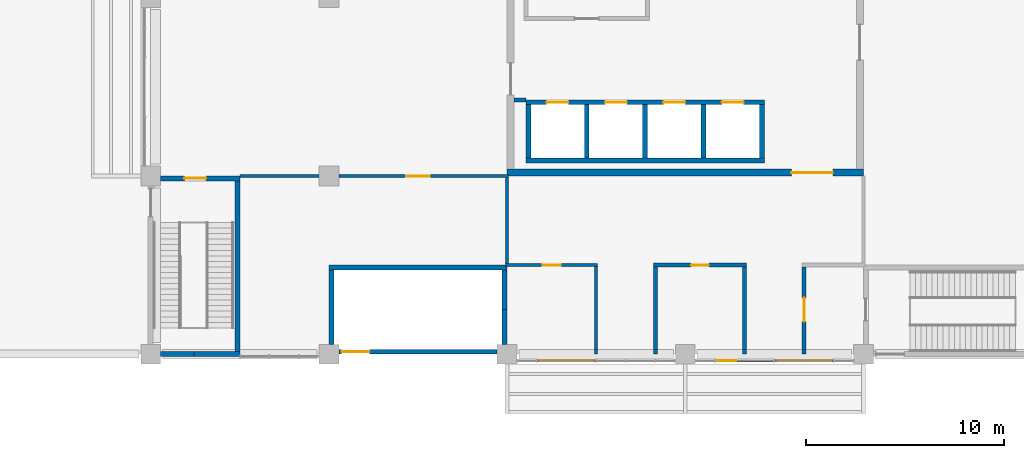
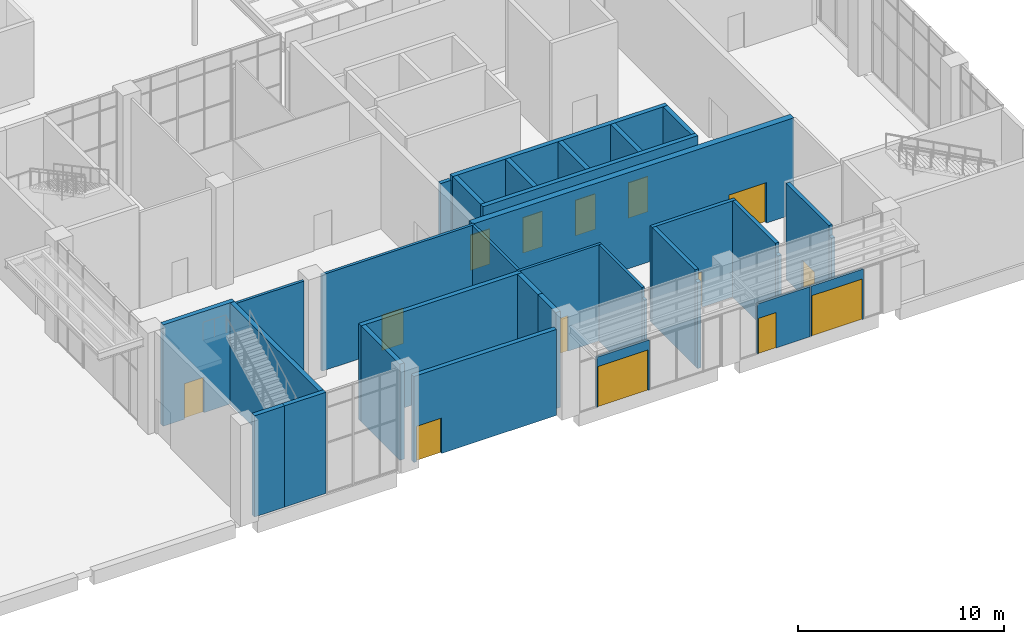
# One storey, part 59 of 86: 34 walls, 14 doors, 14 openings.
"""IFC4 building model written with IfcOpenShell, lengths in metres."""

import ifcopenshell
import ifcopenshell.guid

model = None  # the IFC model being written
_history = None  # IfcOwnerHistory: only IFC2X3 demands one
_inside = {}  # id of a spatial element -> (the spatial element, [elements in it])
_under = {}  # id of a project, library or spatial element -> (it, [spatial elements below it])
_declared = {}  # id of a project -> (the project, [libraries it declares])
_typed = {}  # id of a type object -> (the type object, [elements of that type])
_made_of = {}  # id of a material, layer set ... -> (it, [elements and type objects made of it])


def new_model(schema):
    """Start an empty IFC model of exactly this schema.

    Asked for "IFC4X3", IfcOpenShell would pick the latest addendum, in which some entities
    have other attributes; the version numbers below select the first issue.
    IFC2X3 requires an IfcOwnerHistory on every rooted entity: one is made here for all.
    """
    global model, _history
    if schema == "IFC4X3":
        model = ifcopenshell.file(schema_version=(4, 3, 0, 0))
    else:
        model = ifcopenshell.file(schema=schema)
    _inside.clear()
    _under.clear()
    _declared.clear()
    _typed.clear()
    _made_of.clear()
    _history = None
    if model.schema == "IFC2X3":
        org = make("IfcOrganization", Name="unknown")
        user = make(
            "IfcPersonAndOrganization",
            ThePerson=make("IfcPerson", FamilyName="unknown"),
            TheOrganization=org,
        )
        app = make(
            "IfcApplication",
            ApplicationDeveloper=org,
            Version="unknown",
            ApplicationFullName="unknown",
            ApplicationIdentifier="unknown",
        )
        _history = make(
            "IfcOwnerHistory",
            OwningUser=user,
            OwningApplication=app,
            ChangeAction="ADDED",
            CreationDate=0,
        )
    return model


def make(cls, **values):
    """One entity of the class cls with the attributes given. An attribute that is None is left unset."""
    return model.create_entity(
        cls, **{name: value for name, value in values.items() if value is not None}
    )


def rooted(cls, **values):
    """An entity with a GlobalId (a new one), such as an element, a storey or a relation."""
    return make(cls, GlobalId=ifcopenshell.guid.new(), OwnerHistory=_history, **values)


def si_unit(unit_type, name, prefix=None):
    """IfcSIUnit, for example si_unit("LENGTHUNIT", "METRE", prefix="MILLI")."""
    return make("IfcSIUnit", UnitType=unit_type, Prefix=prefix, Name=name)


def assignment(units):
    """IfcUnitAssignment: the units of a project."""
    return None if units is None else make("IfcUnitAssignment", Units=units)


def point(xyz):
    """IfcCartesianPoint."""
    return None if xyz is None else make("IfcCartesianPoint", Coordinates=xyz)


def direction(xyz):
    """IfcDirection."""
    return None if xyz is None else make("IfcDirection", DirectionRatios=xyz)


def frame(location, z_axis=None, x_axis=None):
    """IfcAxis2Placement3D, a coordinate frame: its origin and axes. An axis left out is left unset."""
    return make(
        "IfcAxis2Placement3D",
        Location=point(location),
        Axis=direction(z_axis),
        RefDirection=direction(x_axis),
    )


def frame_2d(location, x_axis=None):
    """IfcAxis2Placement2D, a coordinate frame in the plane: its origin and x axis."""
    return make(
        "IfcAxis2Placement2D", Location=point(location), RefDirection=direction(x_axis)
    )


def origin():
    """The frame at (0, 0, 0) with its axes left unset."""
    return frame((0.0, 0.0, 0.0))


def place(relative_to, where):
    """IfcLocalPlacement: puts the frame where relative to a parent placement (None: the world)."""
    return make(
        "IfcLocalPlacement", PlacementRelTo=relative_to, RelativePlacement=where
    )


def context(
    kind, dimensions, precision=None, world=None, true_north=None, identifier=None
):
    """IfcGeometricRepresentationContext, for example the 3D "Model" context."""
    return make(
        "IfcGeometricRepresentationContext",
        ContextIdentifier=identifier,
        ContextType=kind,
        CoordinateSpaceDimension=dimensions,
        Precision=precision,
        WorldCoordinateSystem=world,
        TrueNorth=true_north,
    )


def subcontext(parent, identifier, kind, view, scale=None):
    """IfcGeometricRepresentationSubContext, for example "Body" below "Model"."""
    return make(
        "IfcGeometricRepresentationSubContext",
        ContextIdentifier=identifier,
        ContextType=kind,
        ParentContext=parent,
        TargetScale=scale,
        TargetView=view,
    )


def project(units=None, contexts=None):
    """IfcProject with its units and contexts."""
    return rooted(
        "IfcProject",
        Name="project",
        RepresentationContexts=contexts,
        UnitsInContext=assignment(units),
    )


def spatial(cls, under=None, at=None, **own):
    """A site, building, storey or space (cls), placed at a placement, below another one or the project."""
    s = rooted(cls, ObjectPlacement=at, **own)
    if under is not None:
        _under.setdefault(under.id(), (under, []))[1].append(s)
    return s


def profile(cls, at=None, kind="AREA", **sizes):
    """A parametric profile (cls). Its sizes go by their IFC names, for example OverallWidth=200.0."""
    return make(cls, ProfileType=kind, Position=at, **sizes)


def rectangle(**sizes):
    """IfcRectangleProfileDef."""
    return profile("IfcRectangleProfileDef", **sizes)


def extrude(swept, where, along, depth):
    """IfcExtrudedAreaSolid: the profile swept, set in the frame where, extruded along a direction by depth."""
    return make(
        "IfcExtrudedAreaSolid",
        SweptArea=swept,
        Position=where,
        ExtrudedDirection=direction(along),
        Depth=depth,
    )


def shape(context_of_items, identifier, shape_type, items):
    """IfcShapeRepresentation: the items that make up one representation, for example the "Body"."""
    return make(
        "IfcShapeRepresentation",
        ContextOfItems=context_of_items,
        RepresentationIdentifier=identifier,
        RepresentationType=shape_type,
        Items=items,
    )


def material(Name=None, Category=None):
    """IfcMaterial."""
    return make("IfcMaterial", Name=Name, Category=Category)


def layer(
    of_material, thickness, ventilated=None, Name=None, Category=None, Priority=None
):
    """IfcMaterialLayer: one layer of a wall or slab, of a material (None: an air gap)."""
    return make(
        "IfcMaterialLayer",
        Material=of_material,
        LayerThickness=thickness,
        IsVentilated=ventilated,
        Name=Name,
        Category=Category,
        Priority=Priority,
    )


def layer_set(layers, Name=None):
    """IfcMaterialLayerSet."""
    return make("IfcMaterialLayerSet", MaterialLayers=layers, LayerSetName=Name)


def made_of(thing, what):
    """Note that an element or type object is made of a material, layer set ...; save() writes the relation."""
    if what is not None:
        _made_of.setdefault(what.id(), (what, []))[1].append(thing)
    return thing


def type_object(cls, material=None, **own):
    """A type object (cls), such as IfcWallType, which elements share."""
    return made_of(rooted(cls, **own), material)


def element(
    cls,
    number,
    at=None,
    inside=None,
    cuts=None,
    type_object=None,
    material=None,
    context=None,
    identifier="Body",
    shape_type=None,
    held_by="IfcProductDefinitionShape",
    body=None,
    shapes=None,
    **own,
):
    """One element of the class cls, such as IfcWall. Its Tag is "e" and its number.

    at: its placement. inside: the storey or other place that contains it. cuts: it is an
    opening in that element (IfcRelVoidsElement). A single representation is given by context,
    identifier, shape_type and body (its items); several are given by shapes. held_by: the class
    of the entity that holds the representations. save() writes the other relations.
    """
    e = rooted(cls, Tag="e%d" % number, ObjectPlacement=at, **own)
    if body is not None:
        shapes = [shape(context, identifier, shape_type, body)]
    if shapes is not None:
        e.Representation = make(held_by, Representations=shapes)
    if inside is not None:
        _inside.setdefault(inside.id(), (inside, []))[1].append(e)
    if cuts is not None:
        rooted(
            "IfcRelVoidsElement", RelatingBuildingElement=cuts, RelatedOpeningElement=e
        )
    if type_object is not None:
        _typed.setdefault(type_object.id(), (type_object, []))[1].append(e)
    return made_of(e, material)


def fill(opening, filler):
    """IfcRelFillsElement: the door or window that sits in an opening."""
    return rooted(
        "IfcRelFillsElement",
        RelatingOpeningElement=opening,
        RelatedBuildingElement=filler,
    )


def aggregate(whole, parts):
    """IfcRelAggregates: a whole, such as a stair, and the parts it consists of."""
    return rooted("IfcRelAggregates", RelatingObject=whole, RelatedObjects=parts)


def save(model, path):
    """Write the relations noted so far, then the file.

    IfcRelAggregates (storeys below a building ...), IfcRelContainedInSpatialStructure (elements
    in a storey), IfcRelDefinesByType, IfcRelAssociatesMaterial and IfcRelDeclares: one each for
    every whole, place, type object, material and project.
    """
    for whole, parts in _under.values():
        aggregate(whole, parts)
    for where, things in _inside.values():
        rooted(
            "IfcRelContainedInSpatialStructure",
            RelatedElements=things,
            RelatingStructure=where,
        )
    for kind, things in _typed.values():
        rooted("IfcRelDefinesByType", RelatedObjects=things, RelatingType=kind)
    for what, things in _made_of.values():
        rooted("IfcRelAssociatesMaterial", RelatedObjects=things, RelatingMaterial=what)
    for by, libraries in _declared.values():
        rooted("IfcRelDeclares", RelatingContext=by, RelatedDefinitions=libraries)
    model.write(path)


model = new_model("IFC4")

# Units and contexts
model_context = context("Model", 3, precision=1e-05, world=origin(), true_north=direction((0.0, 1.0)))
body_context = subcontext(model_context, "Body", "Model", "MODEL_VIEW")
ifc_project = project(units=[si_unit("LENGTHUNIT", "METRE"), si_unit("AREAUNIT", "SQUARE_METRE"), si_unit("VOLUMEUNIT", "CUBIC_METRE"), si_unit("PLANEANGLEUNIT", "RADIAN"), si_unit("MASSUNIT", "GRAM", prefix="KILO")], contexts=[model_context])

# Site, building, storey
site_placement = place(None, origin())
site = spatial("IfcSite", under=ifc_project, at=site_placement, CompositionType="ELEMENT")
building_placement = place(site_placement, origin())
building = spatial("IfcBuilding", under=site, at=building_placement, Name="Guidao Yard Department Store", CompositionType="ELEMENT")
storey_placement = place(building_placement, origin())
storey = spatial("IfcBuildingStorey", under=building, at=storey_placement, Name="L00", CompositionType="ELEMENT", Elevation=0.0)

# Wall, opening, door
ifc_material_1 = material(Name="Gypsum Board")
ifc_layer_1 = layer(ifc_material_1, 0.14990234375)
ifc_layer_set_1 = layer_set([ifc_layer_1], Name="Corridor Partition 150 Gypsum Board EI 60")
wall_type_1 = type_object("IfcWallType", Name="Corridor Partition 150 Gypsum Board EI 60", PredefinedType="PARTITIONING", material=ifc_layer_set_1)
wall_1_placement = place(storey_placement, frame((143.925048828125, 4.5, 0.0), z_axis=(0.0, 0.0, 1.0), x_axis=(1.0, 0.0, 0.0)))
wall_1 = element("IfcWall", 1, at=wall_1_placement, inside=storey, type_object=wall_type_1, Name="pt.wall.L00.0001", PredefinedType="PARTITIONING", context=body_context, shape_type="SweptSolid", body=[
    extrude(rectangle(XDim=4.64990234375, YDim=0.14990234375, at=frame_2d((2.324951171875, 0.0))), origin(), (0.0, 0.0, 1.0), 5.699951171875),
])
opening_1_placement = place(wall_1_placement, frame((2.77490234375, 0.0, 0.0), z_axis=(0.0, 0.0, 1.0), x_axis=(-1.0, 0.0, 0.0)))
opening_1 = element("IfcOpeningElement", 2, at=opening_1_placement, cuts=wall_1, Name="Opening L00-411", PredefinedType="OPENING", context=body_context, shape_type="SweptSolid", body=[
    extrude(rectangle(XDim=0.89990234375, YDim=2.10009765625, at=frame_2d((0.449951171875, 1.050048828125))), frame((0.0, 0.0849609375, 0.0), z_axis=(0.0, -1.0, 0.0), x_axis=(1.0, 0.0, 0.0)), (0.0, 0.0, 1.0), 0.169921875),
])
ifc_material_2 = material(Name="Timber door leaf with Steel Q235 frame", Category="steel")
door_type_1 = type_object("IfcDoorType", Name="Door 900 x 2100 FD30 Single Leaf", OperationType="SINGLE_SWING_LEFT", PredefinedType="DOOR", material=ifc_material_2)
door_1_placement = place(opening_1_placement, origin())
door_1 = element("IfcDoor", 3, at=door_1_placement, inside=storey, type_object=door_type_1, Name="Door L00-411", OperationType="SINGLE_SWING_RIGHT", OverallHeight=2.10009765625, OverallWidth=0.89990234375, PredefinedType="DOOR", context=body_context, shape_type="SweptSolid", body=[
    extrude(rectangle(XDim=0.89990234375, YDim=2.10009765625, at=frame_2d((0.449951171875, 1.050048828125))), frame((0.0, 0.02490234375, 0.0), z_axis=(0.0, -1.0, 0.0), x_axis=(1.0, 0.0, 0.0)), (0.0, 0.0, 1.0), 0.050048828125),
])
fill(opening_1, door_1)

# Wall
wall_2_placement = place(storey_placement, frame((130.5, 9.0, 0.0), z_axis=(0.0, 0.0, 1.0), x_axis=(1.0, 0.0, 0.0)))
element("IfcWall", 4, at=wall_2_placement, inside=storey, type_object=wall_type_1, Name="pt.wall.L00.0004", PredefinedType="PARTITIONING", context=body_context, shape_type="SweptSolid", body=[
    extrude(rectangle(XDim=4.0, YDim=0.14990234375, at=frame_2d((2.0, 0.0))), origin(), (0.0, 0.0, 1.0), 5.699951171875),
])

# Wall, opening, door
wall_3_placement = place(storey_placement, frame((135.5, 9.0, 0.0), z_axis=(0.0, 0.0, 1.0), x_axis=(1.0, 0.0, 0.0)))
wall_3 = element("IfcWall", 5, at=wall_3_placement, inside=storey, type_object=wall_type_1, Name="pt.wall.L00.0005", PredefinedType="PARTITIONING", context=body_context, shape_type="SweptSolid", body=[
    extrude(rectangle(XDim=8.574951171875, YDim=0.14990234375, at=frame_2d((4.28759765625, 0.0))), origin(), (0.0, 0.0, 1.0), 5.699951171875),
])
opening_2_placement = place(wall_3_placement, frame((4.599853515625, 0.0, 0.0), z_axis=(0.0, 0.0, 1.0), x_axis=(-1.0, 0.0, 0.0)))
opening_2 = element("IfcOpeningElement", 6, at=opening_2_placement, cuts=wall_3, Name="Opening L00-405", PredefinedType="OPENING", context=body_context, shape_type="SweptSolid", body=[
    extrude(rectangle(XDim=1.199951171875, YDim=2.10009765625, at=frame_2d((0.60009765625, 1.050048828125))), frame((0.0, 0.0849609375, 0.0), z_axis=(0.0, -1.0, 0.0), x_axis=(1.0, 0.0, 0.0)), (0.0, 0.0, 1.0), 0.169921875),
])
ifc_material_3 = material(Name="Timber door leaf with Steel Q235 frame", Category="steel")
door_type_2 = type_object("IfcDoorType", Name="Door 1200 x 2100 FD30 Single Leaf", OperationType="SINGLE_SWING_LEFT", PredefinedType="DOOR", material=ifc_material_3)
door_2_placement = place(opening_2_placement, origin())
door_2 = element("IfcDoor", 7, at=door_2_placement, inside=storey, type_object=door_type_2, Name="Door L00-405", OperationType="SINGLE_SWING_RIGHT", OverallHeight=2.10009765625, OverallWidth=1.199951171875, PredefinedType="DOOR", context=body_context, shape_type="SweptSolid", body=[
    extrude(rectangle(XDim=1.199951171875, YDim=2.10009765625, at=frame_2d((0.60009765625, 1.050048828125))), frame((0.0, 0.02490234375, 0.0), z_axis=(0.0, -1.0, 0.0), x_axis=(1.0, 0.0, 0.0)), (0.0, 0.0, 1.0), 0.050048828125),
])
fill(opening_2, door_2)

# Walls
wall_4_placement = place(storey_placement, frame((144.0, 4.574951171875, 0.0), z_axis=(0.0, 0.0, 1.0), x_axis=(0.0, 1.0, 0.0)))
element("IfcWall", 8, at=wall_4_placement, inside=storey, type_object=wall_type_1, Name="pt.wall.L00.0018", PredefinedType="PARTITIONING", context=body_context, shape_type="SweptSolid", body=[
    extrude(rectangle(XDim=4.35009765625, YDim=0.14990234375, at=frame_2d((2.175048828125, 0.0))), origin(), (0.0, 0.0, 1.0), 5.699951171875),
])
wall_5_placement = place(storey_placement, frame((148.5, 0.0, 0.0), z_axis=(0.0, 0.0, 1.0), x_axis=(0.0, 1.0, 0.0)))
element("IfcWall", 9, at=wall_5_placement, inside=storey, type_object=wall_type_1, Name="pt.wall.L00.0021", PredefinedType="PARTITIONING", context=body_context, shape_type="SweptSolid", body=[
    extrude(rectangle(XDim=0.25, YDim=0.14990234375, at=frame_2d((0.125, 0.0))), origin(), (0.0, 0.0, 1.0), 5.10009765625),
])
wall_6_placement = place(storey_placement, frame((148.5, 0.25, 0.0), z_axis=(0.0, 0.0, 1.0), x_axis=(0.0, 1.0, 0.0)))
element("IfcWall", 10, at=wall_6_placement, inside=storey, type_object=wall_type_1, Name="pt.wall.L00.0021a", PredefinedType="PARTITIONING", context=body_context, shape_type="SweptSolid", body=[
    extrude(rectangle(XDim=4.175048828125, YDim=0.14990234375, at=frame_2d((2.08740234375, 0.0))), origin(), (0.0, 0.0, 1.0), 5.699951171875),
])

# Wall, opening, door
ifc_material_4 = material(Name="Autoclaved aerated concrete block A3.5 B06", Category="concrete")
ifc_layer_2 = layer(ifc_material_4, 0.199951171875)
ifc_layer_set_2 = layer_set([ifc_layer_2], Name="Fire Wall 200 Autoclaved Block EI 120")
wall_type_2 = type_object("IfcWallType", Name="Fire Wall 200 Autoclaved Block EI 120", PredefinedType="PARTITIONING", material=ifc_layer_set_2)
wall_7_placement = place(storey_placement, frame((151.39990234375, 4.5, 0.0), z_axis=(0.0, 0.0, 1.0), x_axis=(1.0, 0.0, 0.0)))
wall_7 = element("IfcWall", 11, at=wall_7_placement, inside=storey, type_object=wall_type_2, Name="pt.wall.L00.0002", PredefinedType="PARTITIONING", context=body_context, shape_type="SweptSolid", body=[
    extrude(rectangle(XDim=4.7001953125, YDim=0.199951171875, at=frame_2d((2.35009765625, 0.0))), origin(), (0.0, 0.0, 1.0), 5.699951171875),
])
opening_3_placement = place(wall_7_placement, frame((2.7998046875, 0.0, 0.0), z_axis=(0.0, 0.0, 1.0), x_axis=(-1.0, 0.0, 0.0)))
opening_3 = element("IfcOpeningElement", 12, at=opening_3_placement, cuts=wall_7, Name="Opening L00-412", PredefinedType="OPENING", context=body_context, shape_type="SweptSolid", body=[
    extrude(rectangle(XDim=0.89990234375, YDim=2.10009765625, at=frame_2d((0.449951171875, 1.050048828125))), frame((0.0, 0.10986328125, 0.0), z_axis=(0.0, -1.0, 0.0), x_axis=(1.0, 0.0, 0.0)), (0.0, 0.0, 1.0), 0.219970703125),
])
ifc_material_5 = material(Name="Timber door leaf with Steel Q235 frame", Category="steel")
door_type_3 = type_object("IfcDoorType", Name="Door 900 x 2100 FD60 Single Leaf", OperationType="SINGLE_SWING_LEFT", PredefinedType="DOOR", material=ifc_material_5)
door_3_placement = place(opening_3_placement, origin())
door_3 = element("IfcDoor", 13, at=door_3_placement, inside=storey, type_object=door_type_3, Name="Door L00-412", OperationType="SINGLE_SWING_RIGHT", OverallHeight=2.10009765625, OverallWidth=0.89990234375, PredefinedType="DOOR", context=body_context, shape_type="SweptSolid", body=[
    extrude(rectangle(XDim=0.89990234375, YDim=2.10009765625, at=frame_2d((0.449951171875, 1.050048828125))), frame((0.0, 0.02490234375, 0.0), z_axis=(0.0, -1.0, 0.0), x_axis=(1.0, 0.0, 0.0)), (0.0, 0.0, 1.0), 0.050048828125),
])
fill(opening_3, door_3)

# Walls
wall_8_placement = place(storey_placement, frame((151.5, 0.0, 0.0), z_axis=(0.0, 0.0, 1.0), x_axis=(0.0, 1.0, 0.0)))
element("IfcWall", 14, at=wall_8_placement, inside=storey, type_object=wall_type_2, Name="pt.wall.L00.0023", PredefinedType="PARTITIONING", context=body_context, shape_type="SweptSolid", body=[
    extrude(rectangle(XDim=0.25, YDim=0.199951171875, at=frame_2d((0.125, 0.0))), origin(), (0.0, 0.0, 1.0), 5.10009765625),
])
wall_9_placement = place(storey_placement, frame((151.5, 0.25, 0.0), z_axis=(0.0, 0.0, 1.0), x_axis=(0.0, 1.0, 0.0)))
element("IfcWall", 15, at=wall_9_placement, inside=storey, type_object=wall_type_2, Name="pt.wall.L00.0023a", PredefinedType="PARTITIONING", context=body_context, shape_type="SweptSolid", body=[
    extrude(rectangle(XDim=4.14990234375, YDim=0.199951171875, at=frame_2d((2.074951171875, 0.0))), origin(), (0.0, 0.0, 1.0), 5.699951171875),
])
wall_10_placement = place(storey_placement, frame((156.0, 0.0, 0.0), z_axis=(0.0, 0.0, 1.0), x_axis=(0.0, 1.0, 0.0)))
element("IfcWall", 16, at=wall_10_placement, inside=storey, type_object=wall_type_2, Name="pt.wall.L00.0024", PredefinedType="PARTITIONING", context=body_context, shape_type="SweptSolid", body=[
    extrude(rectangle(XDim=0.25, YDim=0.199951171875, at=frame_2d((0.125, 0.0))), origin(), (0.0, 0.0, 1.0), 5.10009765625),
])
wall_11_placement = place(storey_placement, frame((156.0, 0.25, 0.0), z_axis=(0.0, 0.0, 1.0), x_axis=(0.0, 1.0, 0.0)))
element("IfcWall", 17, at=wall_11_placement, inside=storey, type_object=wall_type_2, Name="pt.wall.L00.0024a", PredefinedType="PARTITIONING", context=body_context, shape_type="SweptSolid", body=[
    extrude(rectangle(XDim=4.14990234375, YDim=0.199951171875, at=frame_2d((2.074951171875, 0.0))), origin(), (0.0, 0.0, 1.0), 5.699951171875),
])

# Wall, opening, door
ifc_material_6 = material(Name="Aluminium 6063-T5", Category="aluminium")
ifc_layer_3 = layer(ifc_material_6, 0.1201171875)
ifc_layer_set_3 = layer_set([ifc_layer_3], Name="Glazing frame wall 120")
wall_type_3 = type_object("IfcWallType", Name="Glazing frame wall 120", PredefinedType="STANDARD", material=ifc_layer_set_3)
wall_12_placement = place(storey_placement, frame((148.469970703125, -0.330078125, 0.0), z_axis=(0.0, 0.0, 1.0), x_axis=(-1.0, 0.0, 0.0)))
wall_12 = element("IfcWall", 18, at=wall_12_placement, inside=storey, type_object=wall_type_3, Name="Frame wall for door", PredefinedType="STANDARD", context=body_context, shape_type="SweptSolid", body=[
    extrude(rectangle(XDim=2.93994140625, YDim=0.1201171875, at=frame_2d((1.469970703125, 0.0))), origin(), (0.0, 0.0, 1.0), 2.969970703125),
])
opening_4_placement = place(wall_12_placement, frame((0.070068359375, 0.0, 0.0)))
opening_4 = element("IfcOpeningElement", 19, at=opening_4_placement, cuts=wall_12, Name="Opening L00-874", PredefinedType="OPENING", context=body_context, shape_type="SweptSolid", body=[
    extrude(rectangle(XDim=2.800048828125, YDim=2.39990234375, at=frame_2d((1.39990234375, 1.199951171875))), frame((0.0, 0.070068359375, 0.0), z_axis=(0.0, -1.0, 0.0), x_axis=(1.0, 0.0, 0.0)), (0.0, 0.0, 1.0), 0.14013671875),
])
ifc_material_7 = material(Name="Toughened glass in Aluminium 6063-T5 frame", Category="aluminium")
door_type_4 = type_object("IfcDoorType", Name="Entrance door ED1 2800 x 2400 glazed double leaf", OperationType="DOUBLE_DOOR_SINGLE_SWING", PredefinedType="DOOR", material=ifc_material_7)
door_4_placement = place(opening_4_placement, origin())
door_4 = element("IfcDoor", 20, at=door_4_placement, inside=storey, type_object=door_type_4, Name="Main entrance OE1", OperationType="DOUBLE_DOOR_SINGLE_SWING", OverallHeight=2.39990234375, OverallWidth=2.800048828125, PredefinedType="DOOR", context=body_context, shape_type="SweptSolid", body=[
    extrude(rectangle(XDim=2.800048828125, YDim=2.39990234375, at=frame_2d((1.39990234375, 1.199951171875))), frame((0.0, 0.02490234375, 0.0), z_axis=(0.0, -1.0, 0.0), x_axis=(1.0, 0.0, 0.0)), (0.0, 0.0, 1.0), 0.050048828125),
])
fill(opening_4, door_4)

wall_13_placement = place(storey_placement, frame((157.469970703125, -0.330078125, 0.0), z_axis=(0.0, 0.0, 1.0), x_axis=(-1.0, 0.0, 0.0)))
wall_13 = element("IfcWall", 21, at=wall_13_placement, inside=storey, type_object=wall_type_3, Name="Frame wall for door", PredefinedType="STANDARD", context=body_context, shape_type="SweptSolid", body=[
    extrude(rectangle(XDim=2.93994140625, YDim=0.1201171875, at=frame_2d((1.469970703125, 0.0))), origin(), (0.0, 0.0, 1.0), 2.969970703125),
])
opening_5_placement = place(wall_13_placement, frame((1.889892578125, 0.0, 0.0)))
opening_5 = element("IfcOpeningElement", 22, at=opening_5_placement, cuts=wall_13, Name="Opening L00-875", PredefinedType="OPENING", context=body_context, shape_type="SweptSolid", body=[
    extrude(rectangle(XDim=1.0, YDim=2.10009765625, at=frame_2d((0.5, 1.050048828125))), frame((0.0, 0.070068359375, 0.0), z_axis=(0.0, -1.0, 0.0), x_axis=(1.0, 0.0, 0.0)), (0.0, 0.0, 1.0), 0.14013671875),
])
ifc_material_8 = material(Name="Steel Q235", Category="steel")
door_type_5 = type_object("IfcDoorType", Name="Fire door FD60 1000 x 2100 single leaf", OperationType="SINGLE_SWING_LEFT", PredefinedType="DOOR", material=ifc_material_8)
door_5_placement = place(opening_5_placement, origin())
door_5 = element("IfcDoor", 23, at=door_5_placement, inside=storey, type_object=door_type_5, Name="Fire command room exit FCR2", OperationType="SINGLE_SWING_RIGHT", OverallHeight=2.10009765625, OverallWidth=1.0, PredefinedType="DOOR", context=body_context, shape_type="SweptSolid", body=[
    extrude(rectangle(XDim=1.0, YDim=2.10009765625, at=frame_2d((0.5, 1.050048828125))), frame((0.0, 0.02490234375, 0.0), z_axis=(0.0, -1.0, 0.0), x_axis=(1.0, 0.0, 0.0)), (0.0, 0.0, 1.0), 0.050048828125),
])
fill(opening_5, door_5)

wall_14_placement = place(storey_placement, frame((160.469970703125, -0.330078125, 0.0), z_axis=(0.0, 0.0, 1.0), x_axis=(-1.0, 0.0, 0.0)))
wall_14 = element("IfcWall", 24, at=wall_14_placement, inside=storey, type_object=wall_type_3, Name="Frame wall for door", PredefinedType="STANDARD", context=body_context, shape_type="SweptSolid", body=[
    extrude(rectangle(XDim=2.93994140625, YDim=0.1201171875, at=frame_2d((1.469970703125, 0.0))), origin(), (0.0, 0.0, 1.0), 2.969970703125),
])
opening_6_placement = place(wall_14_placement, frame((0.070068359375, 0.0, 0.0)))
opening_6 = element("IfcOpeningElement", 25, at=opening_6_placement, cuts=wall_14, Name="Opening L00-876", PredefinedType="OPENING", context=body_context, shape_type="SweptSolid", body=[
    extrude(rectangle(XDim=2.800048828125, YDim=2.39990234375, at=frame_2d((1.39990234375, 1.199951171875))), frame((0.0, 0.070068359375, 0.0), z_axis=(0.0, -1.0, 0.0), x_axis=(1.0, 0.0, 0.0)), (0.0, 0.0, 1.0), 0.14013671875),
])
door_6_placement = place(opening_6_placement, origin())
door_6 = element("IfcDoor", 26, at=door_6_placement, inside=storey, type_object=door_type_4, Name="Main entrance OE4", OperationType="DOUBLE_DOOR_SINGLE_SWING", OverallHeight=2.39990234375, OverallWidth=2.800048828125, PredefinedType="DOOR", context=body_context, shape_type="SweptSolid", body=[
    extrude(rectangle(XDim=2.800048828125, YDim=2.39990234375, at=frame_2d((1.39990234375, 1.199951171875))), frame((0.0, 0.02490234375, 0.0), z_axis=(0.0, -1.0, 0.0), x_axis=(1.0, 0.0, 0.0)), (0.0, 0.0, 1.0), 0.050048828125),
])
fill(opening_6, door_6)

# Walls
ifc_material_9 = material(Name="Autoclaved aerated concrete block A3.5 B06", Category="concrete")
ifc_layer_4 = layer(ifc_material_9, 0.199951171875)
ifc_layer_set_4 = layer_set([ifc_layer_4], Name="Shaft Wall 200 Autoclaved Block EI 120")
wall_type_4 = type_object("IfcWallType", Name="Shaft Wall 200 Autoclaved Block EI 120", PredefinedType="PARTITIONING", material=ifc_layer_set_4)
wall_15_placement = place(storey_placement, frame((144.35009765625, 12.85009765625, 0.0), z_axis=(0.0, 0.0, 1.0), x_axis=(1.0, 0.0, 0.0)))
element("IfcWall", 27, at=wall_15_placement, inside=storey, type_object=wall_type_4, Name="pt.wall.L00.0007", PredefinedType="PARTITIONING", context=body_context, shape_type="SweptSolid", body=[
    extrude(rectangle(XDim=0.599853515625, YDim=0.199951171875, at=frame_2d((0.2998046875, 0.0))), origin(), (0.0, 0.0, 1.0), 5.699951171875),
])
wall_16_placement = place(storey_placement, frame((159.0, 0.0, 0.0), z_axis=(0.0, 0.0, 1.0), x_axis=(0.0, 1.0, 0.0)))
element("IfcWall", 28, at=wall_16_placement, inside=storey, type_object=wall_type_4, Name="pt.wall.L00.0025", PredefinedType="PARTITIONING", context=body_context, shape_type="SweptSolid", body=[
    extrude(rectangle(XDim=0.25, YDim=0.199951171875, at=frame_2d((0.125, 0.0))), origin(), (0.0, 0.0, 1.0), 5.10009765625),
])

# Wall, opening, door
wall_17_placement = place(storey_placement, frame((159.0, 0.25, 0.0), z_axis=(0.0, 0.0, 1.0), x_axis=(0.0, 1.0, 0.0)))
wall_17 = element("IfcWall", 29, at=wall_17_placement, inside=storey, type_object=wall_type_4, Name="pt.wall.L00.0025a", PredefinedType="PARTITIONING", context=body_context, shape_type="SweptSolid", body=[
    extrude(rectangle(XDim=4.14990234375, YDim=0.199951171875, at=frame_2d((2.074951171875, 0.0))), origin(), (0.0, 0.0, 1.0), 5.699951171875),
])
opening_7_placement = place(wall_17_placement, frame((2.599853515625, 0.0, 0.0), z_axis=(0.0, 0.0, 1.0), x_axis=(-1.0, 0.0, 0.0)))
opening_7 = element("IfcOpeningElement", 30, at=opening_7_placement, cuts=wall_17, Name="Opening L00-401", PredefinedType="OPENING", context=body_context, shape_type="SweptSolid", body=[
    extrude(rectangle(XDim=1.199951171875, YDim=2.10009765625, at=frame_2d((0.60009765625, 1.050048828125))), frame((0.0, 0.10986328125, 0.0), z_axis=(0.0, -1.0, 0.0), x_axis=(1.0, 0.0, 0.0)), (0.0, 0.0, 1.0), 0.219970703125),
])
ifc_material_10 = material(Name="Timber door leaf with Steel Q235 frame", Category="steel")
door_type_6 = type_object("IfcDoorType", Name="Door 1200 x 2100 FD60 Single Leaf", OperationType="SINGLE_SWING_LEFT", PredefinedType="DOOR", material=ifc_material_10)
door_7_placement = place(opening_7_placement, origin())
door_7 = element("IfcDoor", 31, at=door_7_placement, inside=storey, type_object=door_type_6, Name="Door L00-401", OperationType="SINGLE_SWING_RIGHT", OverallHeight=2.10009765625, OverallWidth=1.199951171875, PredefinedType="DOOR", context=body_context, shape_type="SweptSolid", body=[
    extrude(rectangle(XDim=1.199951171875, YDim=2.10009765625, at=frame_2d((0.60009765625, 1.050048828125))), frame((0.0, 0.02490234375, 0.0), z_axis=(0.0, -1.0, 0.0), x_axis=(1.0, 0.0, 0.0)), (0.0, 0.0, 1.0), 0.050048828125),
])
fill(opening_7, door_7)

ifc_material_11 = material(Name="Concrete C50", Category="concrete")
ifc_layer_5 = layer(ifc_material_11, 0.35009765625)
ifc_layer_set_5 = layer_set([ifc_layer_5], Name="Shear Wall 350 Concrete C50")
wall_type_5 = type_object("IfcWallType", Name="Shear Wall 350 Concrete C50", PredefinedType="SHEAR", material=ifc_layer_set_5)
wall_18_placement = place(storey_placement, frame((144.0, 9.175048828125, 0.0), z_axis=(0.0, 0.0, 1.0), x_axis=(1.0, 0.0, 0.0)))
wall_18 = element("IfcWall", 32, at=wall_18_placement, inside=storey, type_object=wall_type_5, Name="pt.wall.L00.0006", PredefinedType="SHEAR", context=body_context, shape_type="SweptSolid", body=[
    extrude(rectangle(XDim=18.0, YDim=0.35009765625, at=frame_2d((9.0, 0.0))), origin(), (0.0, 0.0, 1.0), 5.699951171875),
])
opening_8_placement = place(wall_18_placement, frame((16.462646484375, 0.0, 0.0), z_axis=(0.0, 0.0, 1.0), x_axis=(-1.0, 0.0, 0.0)))
opening_8 = element("IfcOpeningElement", 33, at=opening_8_placement, cuts=wall_18, Name="Opening L00-404", PredefinedType="OPENING", context=body_context, shape_type="SweptSolid", body=[
    extrude(rectangle(XDim=2.10009765625, YDim=2.39990234375, at=frame_2d((1.050048828125, 1.199951171875))), frame((0.0, 0.18505859375, 0.0), z_axis=(0.0, -1.0, 0.0), x_axis=(1.0, 0.0, 0.0)), (0.0, 0.0, 1.0), 0.3701171875),
])
ifc_material_12 = material(Name="Timber door leaf with Steel Q235 frame", Category="steel")
door_type_7 = type_object("IfcDoorType", Name="Door 2100 x 2400 FD60 Double Leaf", OperationType="DOUBLE_DOOR_SINGLE_SWING", PredefinedType="DOOR", material=ifc_material_12)
door_8_placement = place(opening_8_placement, origin())
door_8 = element("IfcDoor", 34, at=door_8_placement, inside=storey, type_object=door_type_7, Name="Door L00-404", OperationType="DOUBLE_DOOR_SINGLE_SWING", OverallHeight=2.39990234375, OverallWidth=2.10009765625, PredefinedType="DOOR", context=body_context, shape_type="SweptSolid", body=[
    extrude(rectangle(XDim=2.10009765625, YDim=2.39990234375, at=frame_2d((1.050048828125, 1.199951171875))), frame((0.0, 0.02490234375, 0.0), z_axis=(0.0, -1.0, 0.0), x_axis=(1.0, 0.0, 0.0)), (0.0, 0.0, 1.0), 0.050048828125),
])
fill(opening_8, door_8)

ifc_material_13 = material(Name="Concrete C40", Category="concrete")
ifc_layer_6 = layer(ifc_material_13, 0.25)
ifc_layer_set_6 = layer_set([ifc_layer_6], Name="Wall RC 250 C40 stair and shaft")
wall_type_6 = type_object("IfcWallType", Name="Wall RC 250 C40 stair and shaft", PredefinedType="SHEAR", material=ifc_layer_set_6)
wall_19_placement = place(storey_placement, frame((135.5, 0.125, 0.0), z_axis=(0.0, 0.0, 1.0), x_axis=(1.0, 0.0, 0.0)))
wall_19 = element("IfcWall", 35, at=wall_19_placement, inside=storey, type_object=wall_type_6, Name="Stair wall BSO1", PredefinedType="SHEAR", context=body_context, shape_type="SweptSolid", body=[
    extrude(rectangle(XDim=8.0, YDim=0.25, at=frame_2d((4.0, 0.0))), origin(), (0.0, 0.0, 1.0), 5.10009765625),
])
opening_9_placement = place(wall_19_placement, frame((1.5498046875, 0.0, 0.0), z_axis=(0.0, 0.0, 1.0), x_axis=(-1.0, 0.0, 0.0)))
opening_9 = element("IfcOpeningElement", 36, at=opening_9_placement, cuts=wall_19, Name="Opening L00-805", PredefinedType="OPENING", context=body_context, shape_type="SweptSolid", body=[
    extrude(rectangle(XDim=1.39990234375, YDim=2.10009765625, at=frame_2d((0.699951171875, 1.050048828125))), frame((0.0, 0.135009765625, 0.0), z_axis=(0.0, -1.0, 0.0), x_axis=(1.0, 0.0, 0.0)), (0.0, 0.0, 1.0), 0.27001953125),
])
ifc_material_14 = material(Name="Steel Q235", Category="steel")
door_type_8 = type_object("IfcDoorType", Name="Door fire-resisting 1400 x 2100 FD60", OperationType="DOUBLE_DOOR_SINGLE_SWING", PredefinedType="DOOR", material=ifc_material_14)
door_9_placement = place(opening_9_placement, origin())
door_9 = element("IfcDoor", 37, at=door_9_placement, inside=storey, type_object=door_type_8, Name="Basement stair O1 door L00 discharge", OperationType="DOUBLE_DOOR_SINGLE_SWING", OverallHeight=2.10009765625, OverallWidth=1.39990234375, PredefinedType="DOOR", context=body_context, shape_type="SweptSolid", body=[
    extrude(rectangle(XDim=1.39990234375, YDim=2.10009765625, at=frame_2d((0.699951171875, 1.050048828125))), frame((0.0, 0.02490234375, 0.0), z_axis=(0.0, -1.0, 0.0), x_axis=(1.0, 0.0, 0.0)), (0.0, 0.0, 1.0), 0.050048828125),
])
fill(opening_9, door_9)

# Walls
wall_20_placement = place(storey_placement, frame((135.0, 4.375, 0.0), z_axis=(0.0, 0.0, 1.0), x_axis=(1.0, 0.0, 0.0)))
element("IfcWall", 38, at=wall_20_placement, inside=storey, type_object=wall_type_6, Name="Stair wall BSO1", PredefinedType="SHEAR", context=body_context, shape_type="SweptSolid", body=[
    extrude(rectangle(XDim=9.0, YDim=0.25, at=frame_2d((4.5, 0.0))), origin(), (0.0, 0.0, 1.0), 5.699951171875),
])
wall_21_placement = place(storey_placement, frame((135.125, 0.5, 0.0), z_axis=(0.0, 0.0, 1.0), x_axis=(0.0, 1.0, 0.0)))
element("IfcWall", 39, at=wall_21_placement, inside=storey, type_object=wall_type_6, Name="Stair wall BSO1", PredefinedType="SHEAR", context=body_context, shape_type="SweptSolid", body=[
    extrude(rectangle(XDim=3.75, YDim=0.25, at=frame_2d((1.875, 0.0))), origin(), (0.0, 0.0, 1.0), 5.699951171875),
])
wall_22_placement = place(storey_placement, frame((143.875, 0.5, 0.0), z_axis=(0.0, 0.0, 1.0), x_axis=(0.0, 1.0, 0.0)))
element("IfcWall", 40, at=wall_22_placement, inside=storey, type_object=wall_type_6, Name="Stair wall BSO1", PredefinedType="SHEAR", context=body_context, shape_type="SweptSolid", body=[
    extrude(rectangle(XDim=1.75, YDim=0.25, at=frame_2d((0.875, 0.0))), origin(), (0.0, 0.0, 1.0), 5.699951171875),
])
wall_23_placement = place(storey_placement, frame((143.875, 2.25, 0.0), z_axis=(0.0, 0.0, 1.0), x_axis=(0.0, 1.0, 0.0)))
element("IfcWall", 41, at=wall_23_placement, inside=storey, type_object=wall_type_6, Name="Stair wall BSO1", PredefinedType="SHEAR", context=body_context, shape_type="SweptSolid", body=[
    extrude(rectangle(XDim=2.0, YDim=0.25, at=frame_2d((1.0, 0.0))), origin(), (0.0, 0.0, 1.0), 5.699951171875),
])
wall_24_placement = place(storey_placement, frame((126.5, 0.0, 0.0), z_axis=(0.0, 0.0, 1.0), x_axis=(1.0, 0.0, 0.0)))
element("IfcWall", 42, at=wall_24_placement, inside=storey, type_object=wall_type_6, Name="Stair wall SO1", PredefinedType="SHEAR", context=body_context, shape_type="SweptSolid", body=[
    extrude(rectangle(XDim=1.68798828125, YDim=0.25, at=frame_2d((0.843994140625, 0.0))), origin(), (0.0, 0.0, 1.0), 6.0),
])
wall_25_placement = place(storey_placement, frame((128.18798828125, 0.0, 0.0), z_axis=(0.0, 0.0, 1.0), x_axis=(1.0, 0.0, 0.0)))
element("IfcWall", 43, at=wall_25_placement, inside=storey, type_object=wall_type_6, Name="Stair wall SO1", PredefinedType="SHEAR", context=body_context, shape_type="SweptSolid", body=[
    extrude(rectangle(XDim=2.31201171875, YDim=0.25, at=frame_2d((1.156005859375, 0.0))), origin(), (0.0, 0.0, 1.0), 6.0),
])

# Wall, opening, door
wall_26_placement = place(storey_placement, frame((126.5, 8.875, 0.0), z_axis=(0.0, 0.0, 1.0), x_axis=(1.0, 0.0, 0.0)))
wall_26 = element("IfcWall", 44, at=wall_26_placement, inside=storey, type_object=wall_type_6, Name="Stair wall SO1", PredefinedType="SHEAR", context=body_context, shape_type="SweptSolid", body=[
    extrude(rectangle(XDim=4.0, YDim=0.25, at=frame_2d((2.0, 0.0))), origin(), (0.0, 0.0, 1.0), 6.0),
])
opening_10_placement = place(wall_26_placement, frame((2.300048828125, 0.0, 0.0), z_axis=(0.0, 0.0, 1.0), x_axis=(-1.0, 0.0, 0.0)))
opening_10 = element("IfcOpeningElement", 45, at=opening_10_placement, cuts=wall_26, Name="Opening L00-838", PredefinedType="OPENING", context=body_context, shape_type="SweptSolid", body=[
    extrude(rectangle(XDim=1.10009765625, YDim=2.10009765625, at=frame_2d((0.550048828125, 1.050048828125))), frame((0.0, 0.135009765625, 0.0), z_axis=(0.0, -1.0, 0.0), x_axis=(1.0, 0.0, 0.0)), (0.0, 0.0, 1.0), 0.27001953125),
])
ifc_material_15 = material(Name="Steel Q235", Category="steel")
door_type_9 = type_object("IfcDoorType", Name="Door fire-resisting 1100 x 2100 FD60", OperationType="SINGLE_SWING_LEFT", PredefinedType="DOOR", material=ifc_material_15)
door_10_placement = place(opening_10_placement, origin())
door_10 = element("IfcDoor", 46, at=door_10_placement, inside=storey, type_object=door_type_9, Name="Stair O1 door L00", OperationType="SINGLE_SWING_RIGHT", OverallHeight=2.10009765625, OverallWidth=1.10009765625, PredefinedType="DOOR", context=body_context, shape_type="SweptSolid", body=[
    extrude(rectangle(XDim=1.10009765625, YDim=2.10009765625, at=frame_2d((0.550048828125, 1.050048828125))), frame((0.0, 0.02490234375, 0.0), z_axis=(0.0, -1.0, 0.0), x_axis=(1.0, 0.0, 0.0)), (0.0, 0.0, 1.0), 0.050048828125),
])
fill(opening_10, door_10)

# Wall
wall_27_placement = place(storey_placement, frame((130.375, 0.125, 0.0), z_axis=(0.0, 0.0, 1.0), x_axis=(0.0, 1.0, 0.0)))
element("IfcWall", 47, at=wall_27_placement, inside=storey, type_object=wall_type_6, Name="Stair wall SO1", PredefinedType="SHEAR", context=body_context, shape_type="SweptSolid", body=[
    extrude(rectangle(XDim=8.625, YDim=0.25, at=frame_2d((4.3125, 0.0))), origin(), (0.0, 0.0, 1.0), 6.0),
])

# Wall, openings, doors
wall_28_placement = place(storey_placement, frame((144.949951171875, 12.72509765625, 0.0), z_axis=(0.0, 0.0, 1.0), x_axis=(1.0, 0.0, 0.0)))
wall_28 = element("IfcWall", 48, at=wall_28_placement, inside=storey, type_object=wall_type_6, Name="Lift shaft wall OL1 to OL4", PredefinedType="SHEAR", context=body_context, shape_type="SweptSolid", body=[
    extrude(rectangle(XDim=12.050048828125, YDim=0.25, at=frame_2d((6.02490234375, 0.0))), origin(), (0.0, 0.0, 1.0), 6.0),
])
opening_11_placement = place(wall_28_placement, frame((1.050048828125, 0.0, 0.0)))
opening_11 = element("IfcOpeningElement", 49, at=opening_11_placement, cuts=wall_28, Name="Opening LD-OL1-L00", PredefinedType="OPENING", context=body_context, shape_type="SweptSolid", body=[
    extrude(rectangle(XDim=1.10009765625, YDim=2.10009765625, at=frame_2d((0.550048828125, 1.050048828125))), frame((0.0, 0.135009765625, 0.0), z_axis=(0.0, -1.0, 0.0), x_axis=(1.0, 0.0, 0.0)), (0.0, 0.0, 1.0), 0.27001953125),
])
opening_12_placement = place(wall_28_placement, frame((4.0, 0.0, 0.0)))
opening_12 = element("IfcOpeningElement", 50, at=opening_12_placement, cuts=wall_28, Name="Opening LD-OL2-L00", PredefinedType="OPENING", context=body_context, shape_type="SweptSolid", body=[
    extrude(rectangle(XDim=1.10009765625, YDim=2.10009765625, at=frame_2d((0.550048828125, 1.050048828125))), frame((0.0, 0.135009765625, 0.0), z_axis=(0.0, -1.0, 0.0), x_axis=(1.0, 0.0, 0.0)), (0.0, 0.0, 1.0), 0.27001953125),
])
opening_13_placement = place(wall_28_placement, frame((6.949951171875, 0.0, 0.0)))
opening_13 = element("IfcOpeningElement", 51, at=opening_13_placement, cuts=wall_28, Name="Opening LD-OL3-L00", PredefinedType="OPENING", context=body_context, shape_type="SweptSolid", body=[
    extrude(rectangle(XDim=1.10009765625, YDim=2.10009765625, at=frame_2d((0.550048828125, 1.050048828125))), frame((0.0, 0.135009765625, 0.0), z_axis=(0.0, -1.0, 0.0), x_axis=(1.0, 0.0, 0.0)), (0.0, 0.0, 1.0), 0.27001953125),
])
opening_14_placement = place(wall_28_placement, frame((9.89990234375, 0.0, 0.0)))
opening_14 = element("IfcOpeningElement", 52, at=opening_14_placement, cuts=wall_28, Name="Opening LD-OL4-L00", PredefinedType="OPENING", context=body_context, shape_type="SweptSolid", body=[
    extrude(rectangle(XDim=1.10009765625, YDim=2.10009765625, at=frame_2d((0.550048828125, 1.050048828125))), frame((0.0, 0.135009765625, 0.0), z_axis=(0.0, -1.0, 0.0), x_axis=(1.0, 0.0, 0.0)), (0.0, 0.0, 1.0), 0.27001953125),
])
ifc_material_16 = material(Name="Stainless steel 06Cr19Ni10", Category="steel")
door_type_10 = type_object("IfcDoorType", Name="Lift landing door fire-resisting sliding 1100 x 2100", OperationType="DOUBLE_DOOR_SLIDING", PredefinedType="DOOR", material=ifc_material_16)
door_11_placement = place(opening_11_placement, origin())
door_11 = element("IfcDoor", 53, at=door_11_placement, inside=storey, type_object=door_type_10, Name="Lift landing door OL1 L00", OperationType="DOUBLE_DOOR_SLIDING", OverallHeight=2.10009765625, OverallWidth=1.10009765625, PredefinedType="DOOR", context=body_context, shape_type="SweptSolid", body=[
    extrude(rectangle(XDim=1.10009765625, YDim=2.10009765625, at=frame_2d((0.550048828125, 1.050048828125))), frame((0.0, 0.02490234375, 0.0), z_axis=(0.0, -1.0, 0.0), x_axis=(1.0, 0.0, 0.0)), (0.0, 0.0, 1.0), 0.050048828125),
])
fill(opening_11, door_11)
door_12_placement = place(opening_12_placement, origin())
door_12 = element("IfcDoor", 54, at=door_12_placement, inside=storey, type_object=door_type_10, Name="Lift landing door OL2 L00", OperationType="DOUBLE_DOOR_SLIDING", OverallHeight=2.10009765625, OverallWidth=1.10009765625, PredefinedType="DOOR", context=body_context, shape_type="SweptSolid", body=[
    extrude(rectangle(XDim=1.10009765625, YDim=2.10009765625, at=frame_2d((0.550048828125, 1.050048828125))), frame((0.0, 0.02490234375, 0.0), z_axis=(0.0, -1.0, 0.0), x_axis=(1.0, 0.0, 0.0)), (0.0, 0.0, 1.0), 0.050048828125),
])
fill(opening_12, door_12)
door_13_placement = place(opening_13_placement, origin())
door_13 = element("IfcDoor", 55, at=door_13_placement, inside=storey, type_object=door_type_10, Name="Lift landing door OL3 L00", OperationType="DOUBLE_DOOR_SLIDING", OverallHeight=2.10009765625, OverallWidth=1.10009765625, PredefinedType="DOOR", context=body_context, shape_type="SweptSolid", body=[
    extrude(rectangle(XDim=1.10009765625, YDim=2.10009765625, at=frame_2d((0.550048828125, 1.050048828125))), frame((0.0, 0.02490234375, 0.0), z_axis=(0.0, -1.0, 0.0), x_axis=(1.0, 0.0, 0.0)), (0.0, 0.0, 1.0), 0.050048828125),
])
fill(opening_13, door_13)
door_14_placement = place(opening_14_placement, origin())
door_14 = element("IfcDoor", 56, at=door_14_placement, inside=storey, type_object=door_type_10, Name="Lift landing door OL4 L00", OperationType="DOUBLE_DOOR_SLIDING", OverallHeight=2.10009765625, OverallWidth=1.10009765625, PredefinedType="DOOR", context=body_context, shape_type="SweptSolid", body=[
    extrude(rectangle(XDim=1.10009765625, YDim=2.10009765625, at=frame_2d((0.550048828125, 1.050048828125))), frame((0.0, 0.02490234375, 0.0), z_axis=(0.0, -1.0, 0.0), x_axis=(1.0, 0.0, 0.0)), (0.0, 0.0, 1.0), 0.050048828125),
])
fill(opening_14, door_14)

# Walls
wall_29_placement = place(storey_placement, frame((144.949951171875, 9.77490234375, 0.0), z_axis=(0.0, 0.0, 1.0), x_axis=(1.0, 0.0, 0.0)))
element("IfcWall", 57, at=wall_29_placement, inside=storey, type_object=wall_type_6, Name="Lift shaft wall OL1 to OL4", PredefinedType="SHEAR", context=body_context, shape_type="SweptSolid", body=[
    extrude(rectangle(XDim=12.050048828125, YDim=0.25, at=frame_2d((6.02490234375, 0.0))), origin(), (0.0, 0.0, 1.0), 6.0),
])
for number, where, z_axis, x_axis, name in (
    (58, (145.074951171875, 9.89990234375, 0.0), (0.0, 0.0, 1.0), (0.0, 1.0, 0.0), "Lift shaft wall OL1 to OL4"),
    (59, (148.02490234375, 9.89990234375, 0.0), (0.0, 0.0, 1.0), (0.0, 1.0, 0.0), "Lift shaft wall OL1 to OL4"),
    (60, (150.97509765625, 9.89990234375, 0.0), (0.0, 0.0, 1.0), (0.0, 1.0, 0.0), "Lift shaft wall OL1 to OL4"),
    (61, (153.925048828125, 9.89990234375, 0.0), (0.0, 0.0, 1.0), (0.0, 1.0, 0.0), "Lift shaft wall OL1 to OL4"),
    (62, (156.875, 9.89990234375, 0.0), (0.0, 0.0, 1.0), (0.0, 1.0, 0.0), "Lift shaft wall OL1 to OL4"),
):
    element("IfcWall", number, at=place(storey_placement, frame(where, z_axis=z_axis, x_axis=x_axis)), inside=storey, type_object=wall_type_6, Name=name, PredefinedType="SHEAR", context=body_context, shape_type="SweptSolid", body=[
        extrude(rectangle(XDim=2.7001953125, YDim=0.25, at=frame_2d((1.35009765625, 0.0))), origin(), (0.0, 0.0, 1.0), 6.0),
    ])

save(model, "model.ifc")
